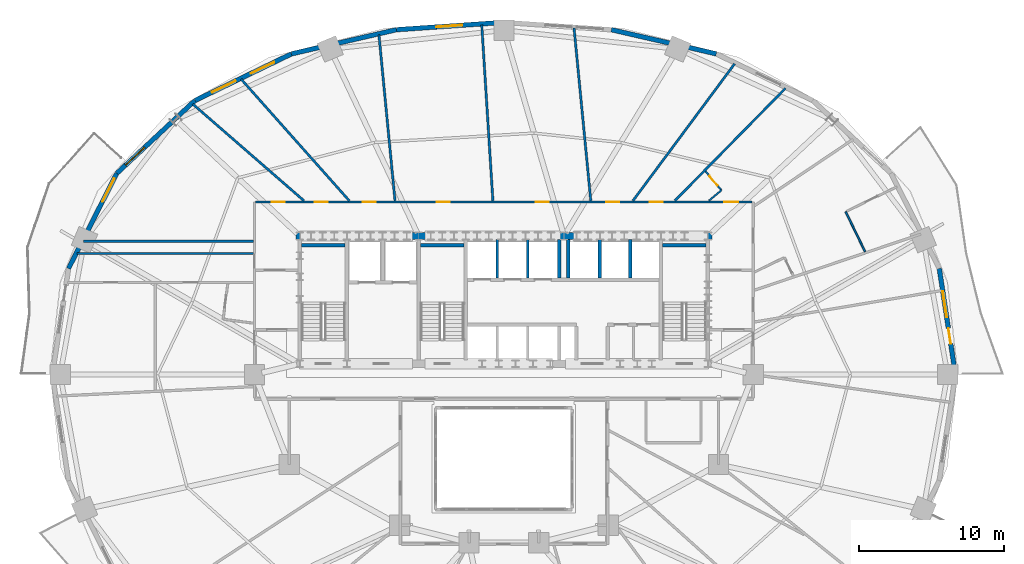
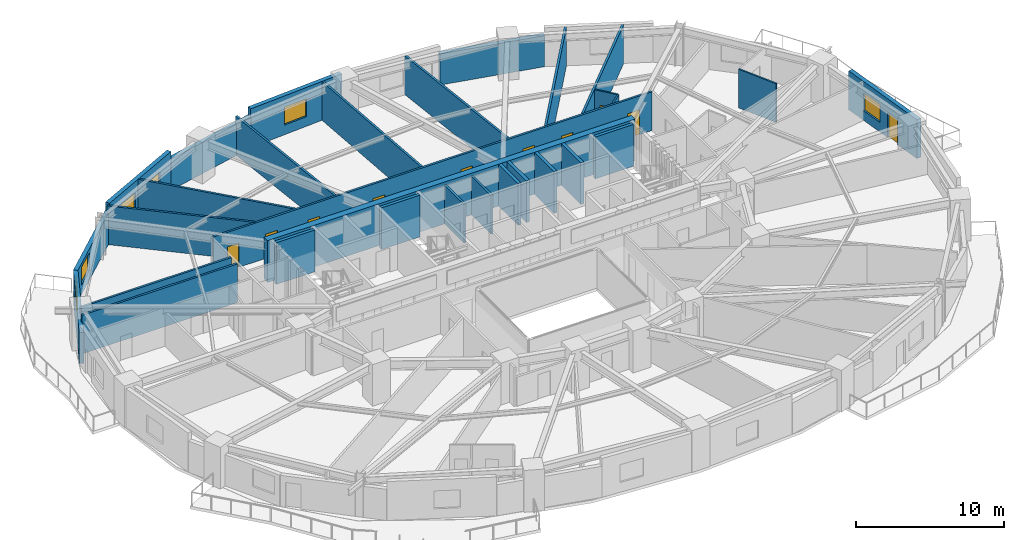
# One storey, part 12 of 17: 30 walls, 10 doors, 6 windows, 16 openings.
"""IFC4 building model written with IfcOpenShell, lengths in metres."""

from ifc_helpers import new_model, si_unit, direction, frame, frame_2d, origin, place, context, subcontext, project, spatial, rectangle, extrude, material, layer, layer_set, type_object, element, fill, save


model = new_model("IFC4")

# Units and contexts
model_context = context("Model", 3, precision=1e-05, world=origin(), true_north=direction((0.0, 1.0)))
body_context = subcontext(model_context, "Body", "Model", "MODEL_VIEW")
ifc_project = project(units=[si_unit("LENGTHUNIT", "METRE"), si_unit("AREAUNIT", "SQUARE_METRE"), si_unit("VOLUMEUNIT", "CUBIC_METRE"), si_unit("PLANEANGLEUNIT", "RADIAN"), si_unit("MASSUNIT", "GRAM", prefix="KILO")], contexts=[model_context])

# Site, building, storey
site_placement = place(None, origin())
site = spatial("IfcSite", under=ifc_project, at=site_placement, CompositionType="ELEMENT")
building_placement = place(site_placement, origin())
building = spatial("IfcBuilding", under=site, at=building_placement, Name="Haldorwick Loom Tower", CompositionType="ELEMENT")
storey_placement = place(building_placement, frame((0.0, 0.0, 65.39990234375)))
storey = spatial("IfcBuildingStorey", under=building, at=storey_placement, Name="L17", CompositionType="ELEMENT", Elevation=65.39990234375)

# Wall, openings, door, window
ifc_material_1 = material(Name="Pressed Clay Face Brick and Insulated Masonry Backup Assembly", Category="masonry")
ifc_layer_1 = layer(ifc_material_1, 0.320068359375, Name="Pressed Clay Face Brick and Insulated Masonry Backup Assembly", Category="masonry")
ifc_layer_set_1 = layer_set([ifc_layer_1], Name="Pressed Clay Face Brick and Insulated Masonry Backup Assembly")
wall_type_1 = type_object("IfcWallType", Name="ARC-WL-EXT320", PredefinedType="STANDARD", material=ifc_layer_set_1)
wall_1_placement = place(storey_placement, frame((67.135986328125, 26.0, 0.0), z_axis=(0.0, 0.0, 1.0), x_axis=(-0.150476322528, 0.988613613278, 0.0)))
wall_1 = element("IfcWall", 1, at=wall_1_placement, inside=storey, type_object=wall_type_1, Name="L17 Brick Pier and Spandrel Wall 1", PredefinedType="STANDARD", context=body_context, shape_type="SweptSolid", body=[
    extrude(rectangle(XDim=7.40478515625, YDim=0.320068359375, at=frame_2d((3.702392578125, 0.0))), origin(), (0.0, 0.0, 1.0), 3.210205078125),
])
opening_1_placement = place(wall_1_placement, frame((2.1416015625, 0.0, 0.0)))
opening_1 = element("IfcOpeningElement", 2, at=opening_1_placement, cuts=wall_1, Name="Opening D-BL11", PredefinedType="OPENING", context=body_context, shape_type="SweptSolid", body=[
    extrude(rectangle(XDim=1.080078125, YDim=2.0400390625, at=frame_2d((0.5400390625, 1.02001953125))), frame((0.0, 0.169921875, 0.0), z_axis=(0.0, -1.0, 0.0), x_axis=(1.0, 0.0, 0.0)), (0.0, 0.0, 1.0), 0.340087890625),
])
opening_2_placement = place(wall_1_placement, frame((4.003662109375, 0.0, 0.800048828125)))
opening_2 = element("IfcOpeningElement", 3, at=opening_2_placement, cuts=wall_1, Name="Opening W-01", PredefinedType="OPENING", context=body_context, shape_type="SweptSolid", body=[
    extrude(rectangle(XDim=1.800048828125, YDim=1.47998046875, at=frame_2d((0.89990234375, 0.739990234375))), frame((0.0, 0.169921875, 0.0), z_axis=(0.0, -1.0, 0.0), x_axis=(1.0, 0.0, 0.0)), (0.0, 0.0, 1.0), 0.340087890625),
])
ifc_material_2 = material(Name="Thermally Broken Anodized Aluminium Curtain Wall Framing", Category="aluminium")
door_type_1 = type_object("IfcDoorType", Name="ARC-DR-BAL110", OperationType="NOTDEFINED", PredefinedType="DOOR", material=ifc_material_2)
door_1_placement = place(opening_1_placement, origin())
door_1 = element("IfcDoor", 4, at=door_1_placement, inside=storey, type_object=door_type_1, Name="L17 Outdoor Terrace Door SLB-L17-BAL_ENE", OperationType="SINGLE_SWING_RIGHT", OverallHeight=2.0400390625, OverallWidth=1.080078125, PredefinedType="DOOR", context=body_context, shape_type="SweptSolid", body=[
    extrude(rectangle(XDim=1.080078125, YDim=2.0400390625, at=frame_2d((0.5400390625, 1.02001953125))), frame((0.0, 0.02490234375, 0.0), z_axis=(0.0, -1.0, 0.0), x_axis=(1.0, 0.0, 0.0)), (0.0, 0.0, 1.0), 0.050048828125),
])
fill(opening_1, door_1)
ifc_material_3 = material(Name="Triple-Glazed Low-E Argon Insulated Glazing Unit", Category="glass")
window_type = type_object("IfcWindowType", Name="ARC-WIN-W180", PartitioningType="SINGLE_PANEL", PredefinedType="WINDOW", material=ifc_material_3)
window_1_placement = place(opening_2_placement, origin())
window_1 = element("IfcWindow", 5, at=window_1_placement, inside=storey, type_object=window_type, Name="L17 Deep-Set Zone 7A Window 1", OverallHeight=1.47998046875, OverallWidth=1.800048828125, PartitioningType="SINGLE_PANEL", PredefinedType="WINDOW", context=body_context, shape_type="SweptSolid", body=[
    extrude(rectangle(XDim=1.800048828125, YDim=1.47998046875, at=frame_2d((0.89990234375, 0.739990234375))), frame((0.0, 0.030029296875, 0.0), z_axis=(0.0, -1.0, 0.0), x_axis=(1.0, 0.0, 0.0)), (0.0, 0.0, 1.0), 0.06005859375),
])
fill(opening_2, window_1)

# Wall
wall_2_placement = place(storey_placement, frame((50.644775390625, 48.11572265625, 0.0), z_axis=(0.0, 0.0, 1.0), x_axis=(-0.974522412345, 0.224290142088, 0.0)))
element("IfcWall", 6, at=wall_2_placement, inside=storey, type_object=wall_type_1, Name="L17 Brick Pier and Spandrel Wall 5", PredefinedType="STANDARD", context=body_context, shape_type="SweptSolid", body=[
    extrude(rectangle(XDim=7.422607421875, YDim=0.320068359375, at=frame_2d((3.71142578125, 0.0))), origin(), (0.0, 0.0, 1.0), 2.569091796875),
])

# Wall, opening, window
wall_3_placement = place(storey_placement, frame((36.0, 50.2900390625, 0.0), z_axis=(0.0, 0.0, 1.0), x_axis=(-0.997645161917, -0.068586667092, 0.0)))
wall_3 = element("IfcWall", 7, at=wall_3_placement, inside=storey, type_object=wall_type_1, Name="L17 Brick Pier and Spandrel Wall 7", PredefinedType="STANDARD", context=body_context, shape_type="SweptSolid", body=[
    extrude(rectangle(XDim=7.428955078125, YDim=0.320068359375, at=frame_2d((3.71435546875, 0.0))), origin(), (0.0, 0.0, 1.0), 3.210205078125),
])
opening_3_placement = place(wall_3_placement, frame((2.874755859375, 0.0, 0.800048828125)))
opening_3 = element("IfcOpeningElement", 8, at=opening_3_placement, cuts=wall_3, Name="Opening W-01", PredefinedType="OPENING", context=body_context, shape_type="SweptSolid", body=[
    extrude(rectangle(XDim=1.800048828125, YDim=1.47998046875, at=frame_2d((0.89990234375, 0.739990234375))), frame((0.0, 0.169921875, 0.0), z_axis=(0.0, -1.0, 0.0), x_axis=(1.0, 0.0, 0.0)), (0.0, 0.0, 1.0), 0.340087890625),
])
window_2_placement = place(opening_3_placement, origin())
window_2 = element("IfcWindow", 9, at=window_2_placement, inside=storey, type_object=window_type, Name="L17 Deep-Set Zone 7A Window 7", OverallHeight=1.47998046875, OverallWidth=1.800048828125, PartitioningType="SINGLE_PANEL", PredefinedType="WINDOW", context=body_context, shape_type="SweptSolid", body=[
    extrude(rectangle(XDim=1.800048828125, YDim=1.47998046875, at=frame_2d((0.89990234375, 0.739990234375))), frame((0.0, 0.030029296875, 0.0), z_axis=(0.0, -1.0, 0.0), x_axis=(1.0, 0.0, 0.0)), (0.0, 0.0, 1.0), 0.06005859375),
])
fill(opening_3, window_2)

# Wall
wall_4_placement = place(storey_placement, frame((28.588623046875, 49.780517578125, 0.0), z_axis=(0.0, 0.0, 1.0), x_axis=(-0.974522412345, -0.224290142088, 0.0)))
element("IfcWall", 10, at=wall_4_placement, inside=storey, type_object=wall_type_1, Name="L17 Brick Pier and Spandrel Wall 8", PredefinedType="STANDARD", context=body_context, shape_type="SweptSolid", body=[
    extrude(rectangle(XDim=7.422607421875, YDim=0.320068359375, at=frame_2d((3.71142578125, 0.0))), origin(), (0.0, 0.0, 1.0), 2.569091796875),
])

# Wall, openings, windows
wall_5_placement = place(storey_placement, frame((21.355224609375, 48.11572265625, 0.0), z_axis=(0.0, 0.0, 1.0), x_axis=(-0.900295710431, -0.435278800057, 0.0)))
wall_5 = element("IfcWall", 11, at=wall_5_placement, inside=storey, type_object=wall_type_1, Name="L17 Brick Pier and Spandrel Wall 9", PredefinedType="STANDARD", context=body_context, shape_type="SweptSolid", body=[
    extrude(rectangle(XDim=7.39697265625, YDim=0.320068359375, at=frame_2d((3.698486328125, 0.0))), origin(), (0.0, 0.0, 1.0), 3.210205078125),
])
opening_4_placement = place(wall_5_placement, frame((1.319091796875, 0.0, 0.800048828125)))
opening_4 = element("IfcOpeningElement", 12, at=opening_4_placement, cuts=wall_5, Name="Opening W-01", PredefinedType="OPENING", context=body_context, shape_type="SweptSolid", body=[
    extrude(rectangle(XDim=1.800048828125, YDim=1.47998046875, at=frame_2d((0.89990234375, 0.739990234375))), frame((0.0, 0.169921875, 0.0), z_axis=(0.0, -1.0, 0.0), x_axis=(1.0, 0.0, 0.0)), (0.0, 0.0, 1.0), 0.340087890625),
])
opening_5_placement = place(wall_5_placement, frame((4.27783203125, 0.0, 0.800048828125)))
opening_5 = element("IfcOpeningElement", 13, at=opening_5_placement, cuts=wall_5, Name="Opening W-01", PredefinedType="OPENING", context=body_context, shape_type="SweptSolid", body=[
    extrude(rectangle(XDim=1.800048828125, YDim=1.47998046875, at=frame_2d((0.89990234375, 0.739990234375))), frame((0.0, 0.169921875, 0.0), z_axis=(0.0, -1.0, 0.0), x_axis=(1.0, 0.0, 0.0)), (0.0, 0.0, 1.0), 0.340087890625),
])
window_3_placement = place(opening_4_placement, origin())
window_3 = element("IfcWindow", 14, at=window_3_placement, inside=storey, type_object=window_type, Name="L17 Deep-Set Zone 7A Window 9", OverallHeight=1.47998046875, OverallWidth=1.800048828125, PartitioningType="SINGLE_PANEL", PredefinedType="WINDOW", context=body_context, shape_type="SweptSolid", body=[
    extrude(rectangle(XDim=1.800048828125, YDim=1.47998046875, at=frame_2d((0.89990234375, 0.739990234375))), frame((0.0, 0.030029296875, 0.0), z_axis=(0.0, -1.0, 0.0), x_axis=(1.0, 0.0, 0.0)), (0.0, 0.0, 1.0), 0.06005859375),
])
fill(opening_4, window_3)
window_4_placement = place(opening_5_placement, origin())
window_4 = element("IfcWindow", 15, at=window_4_placement, inside=storey, type_object=window_type, Name="L17 Deep-Set Zone 7A Window 9", OverallHeight=1.47998046875, OverallWidth=1.800048828125, PartitioningType="SINGLE_PANEL", PredefinedType="WINDOW", context=body_context, shape_type="SweptSolid", body=[
    extrude(rectangle(XDim=1.800048828125, YDim=1.47998046875, at=frame_2d((0.89990234375, 0.739990234375))), frame((0.0, 0.030029296875, 0.0), z_axis=(0.0, -1.0, 0.0), x_axis=(1.0, 0.0, 0.0)), (0.0, 0.0, 1.0), 0.06005859375),
])
fill(opening_5, window_4)

# Wall, opening, window
wall_6_placement = place(storey_placement, frame((14.69580078125, 44.89599609375, 0.0), z_axis=(0.0, 0.0, 1.0), x_axis=(-0.73176101237, -0.681561311091, 0.0)))
wall_6 = element("IfcWall", 16, at=wall_6_placement, inside=storey, type_object=wall_type_1, Name="L17 Brick Pier and Spandrel Wall 10", PredefinedType="STANDARD", context=body_context, shape_type="SweptSolid", body=[
    extrude(rectangle(XDim=7.3583984375, YDim=0.320068359375, at=frame_2d((3.67919921875, 0.0))), origin(), (0.0, 0.0, 1.0), 2.569091796875),
])
opening_6_placement = place(wall_6_placement, frame((4.736572265625, 0.0, 0.800048828125)))
opening_6 = element("IfcOpeningElement", 17, at=opening_6_placement, cuts=wall_6, Name="Opening W-01", PredefinedType="OPENING", context=body_context, shape_type="SweptSolid", body=[
    extrude(rectangle(XDim=1.800048828125, YDim=1.47998046875, at=frame_2d((0.89990234375, 0.739990234375))), frame((0.0, 0.169921875, 0.0), z_axis=(0.0, -1.0, 0.0), x_axis=(1.0, 0.0, 0.0)), (0.0, 0.0, 1.0), 0.340087890625),
])
window_5_placement = place(opening_6_placement, origin())
window_5 = element("IfcWindow", 18, at=window_5_placement, inside=storey, type_object=window_type, Name="L17 Deep-Set Zone 7A Window 10", OverallHeight=1.47998046875, OverallWidth=1.800048828125, PartitioningType="SINGLE_PANEL", PredefinedType="WINDOW", context=body_context, shape_type="SweptSolid", body=[
    extrude(rectangle(XDim=1.800048828125, YDim=1.47998046875, at=frame_2d((0.89990234375, 0.739990234375))), frame((0.0, 0.030029296875, 0.0), z_axis=(0.0, -1.0, 0.0), x_axis=(1.0, 0.0, 0.0)), (0.0, 0.0, 1.0), 0.06005859375),
])
fill(opening_6, window_5)

wall_7_placement = place(storey_placement, frame((9.311279296875, 39.880859375, 0.0), z_axis=(0.0, 0.0, 1.0), x_axis=(-0.452950855928, -0.891535485617, 0.0)))
wall_7 = element("IfcWall", 19, at=wall_7_placement, inside=storey, type_object=wall_type_1, Name="L17 Brick Pier and Spandrel Wall 11", PredefinedType="STANDARD", context=body_context, shape_type="SweptSolid", body=[
    extrude(rectangle(XDim=7.3583984375, YDim=0.320068359375, at=frame_2d((3.67919921875, 0.0))), origin(), (0.0, 0.0, 1.0), 2.569091796875),
])
opening_7_placement = place(wall_7_placement, frame((0.400146484375, 0.0, 0.800048828125)))
opening_7 = element("IfcOpeningElement", 20, at=opening_7_placement, cuts=wall_7, Name="Opening W-01", PredefinedType="OPENING", context=body_context, shape_type="SweptSolid", body=[
    extrude(rectangle(XDim=1.800048828125, YDim=1.47998046875, at=frame_2d((0.89990234375, 0.739990234375))), frame((0.0, 0.169921875, 0.0), z_axis=(0.0, -1.0, 0.0), x_axis=(1.0, 0.0, 0.0)), (0.0, 0.0, 1.0), 0.340087890625),
])
window_6_placement = place(opening_7_placement, origin())
window_6 = element("IfcWindow", 21, at=window_6_placement, inside=storey, type_object=window_type, Name="L17 Deep-Set Zone 7A Window 11", OverallHeight=1.47998046875, OverallWidth=1.800048828125, PartitioningType="SINGLE_PANEL", PredefinedType="WINDOW", context=body_context, shape_type="SweptSolid", body=[
    extrude(rectangle(XDim=1.800048828125, YDim=1.47998046875, at=frame_2d((0.89990234375, 0.739990234375))), frame((0.0, 0.030029296875, 0.0), z_axis=(0.0, -1.0, 0.0), x_axis=(1.0, 0.0, 0.0)), (0.0, 0.0, 1.0), 0.06005859375),
])
fill(opening_7, window_6)

# Wall, openings, doors
ifc_material_4 = material(Name="Fire-Rated Type X Gypsum Stud Assembly EI 60")
ifc_layer_2 = layer(ifc_material_4, 0.159912109375, Name="Fire-Rated Type X Gypsum Stud Assembly EI 60")
ifc_layer_set_2 = layer_set([ifc_layer_2], Name="Fire-Rated Type X Gypsum Stud Assembly EI 60")
wall_type_2 = type_object("IfcWallType", Name="ARC-WL-FIRE160", PredefinedType="PARTITIONING", material=ifc_layer_set_2)
wall_8_placement = place(storey_placement, frame((18.883056640625, 37.89990234375, 0.0), z_axis=(0.0, 0.0, 1.0), x_axis=(1.0, 0.0, 0.0)))
wall_8 = element("IfcWall", 22, at=wall_8_placement, inside=storey, type_object=wall_type_2, Name="L17 Residential Fire Partition L17-CR-N0", PredefinedType="PARTITIONING", context=body_context, shape_type="SweptSolid", body=[
    extrude(rectangle(XDim=34.23388671875, YDim=0.159912109375, at=frame_2d((17.116943359375, 0.0))), origin(), (0.0, 0.0, 1.0), 3.195068359375),
])
opening_8_placement = place(wall_8_placement, frame((19.3173828125, 0.0, 0.0)))
opening_8 = element("IfcOpeningElement", 23, at=opening_8_placement, cuts=wall_8, Name="Opening D-FD60A", PredefinedType="OPENING", context=body_context, shape_type="SweptSolid", body=[
    extrude(rectangle(XDim=0.89990234375, YDim=2.0, at=frame_2d((0.449951171875, 1.0))), frame((0.0, 0.08984375, 0.0), z_axis=(0.0, -1.0, 0.0), x_axis=(1.0, 0.0, 0.0)), (0.0, 0.0, 1.0), 0.179931640625),
])
opening_9_placement = place(wall_8_placement, frame((12.470703125, 0.0, 0.0)))
opening_9 = element("IfcOpeningElement", 24, at=opening_9_placement, cuts=wall_8, Name="Opening D-FD60A", PredefinedType="OPENING", context=body_context, shape_type="SweptSolid", body=[
    extrude(rectangle(XDim=0.89990234375, YDim=2.0, at=frame_2d((0.449951171875, 1.0))), frame((0.0, 0.08984375, 0.0), z_axis=(0.0, -1.0, 0.0), x_axis=(1.0, 0.0, 0.0)), (0.0, 0.0, 1.0), 0.179931640625),
])
opening_10_placement = place(wall_8_placement, frame((24.176513671875, 0.0, 0.0)))
opening_10 = element("IfcOpeningElement", 25, at=opening_10_placement, cuts=wall_8, Name="Opening D-FD60A", PredefinedType="OPENING", context=body_context, shape_type="SweptSolid", body=[
    extrude(rectangle(XDim=0.89990234375, YDim=2.0, at=frame_2d((0.449951171875, 1.0))), frame((0.0, 0.08984375, 0.0), z_axis=(0.0, -1.0, 0.0), x_axis=(1.0, 0.0, 0.0)), (0.0, 0.0, 1.0), 0.179931640625),
])
opening_11_placement = place(wall_8_placement, frame((7.390625, 0.0, 0.0)))
opening_11 = element("IfcOpeningElement", 26, at=opening_11_placement, cuts=wall_8, Name="Opening D-FD60A", PredefinedType="OPENING", context=body_context, shape_type="SweptSolid", body=[
    extrude(rectangle(XDim=0.89990234375, YDim=2.0, at=frame_2d((0.449951171875, 1.0))), frame((0.0, 0.08984375, 0.0), z_axis=(0.0, -1.0, 0.0), x_axis=(1.0, 0.0, 0.0)), (0.0, 0.0, 1.0), 0.179931640625),
])
opening_12_placement = place(wall_8_placement, frame((4.07763671875, 0.0, 0.0)))
opening_12 = element("IfcOpeningElement", 27, at=opening_12_placement, cuts=wall_8, Name="Opening D-FD60A", PredefinedType="OPENING", context=body_context, shape_type="SweptSolid", body=[
    extrude(rectangle(XDim=0.89990234375, YDim=2.0, at=frame_2d((0.449951171875, 1.0))), frame((0.0, 0.08984375, 0.0), z_axis=(0.0, -1.0, 0.0), x_axis=(1.0, 0.0, 0.0)), (0.0, 0.0, 1.0), 0.179931640625),
])
opening_13_placement = place(wall_8_placement, frame((27.158203125, 0.0, 0.0)))
opening_13 = element("IfcOpeningElement", 28, at=opening_13_placement, cuts=wall_8, Name="Opening D-FD60A", PredefinedType="OPENING", context=body_context, shape_type="SweptSolid", body=[
    extrude(rectangle(XDim=0.89990234375, YDim=2.0, at=frame_2d((0.449951171875, 1.0))), frame((0.0, 0.08984375, 0.0), z_axis=(0.0, -1.0, 0.0), x_axis=(1.0, 0.0, 0.0)), (0.0, 0.0, 1.0), 0.179931640625),
])
opening_14_placement = place(wall_8_placement, frame((1.09619140625, 0.0, 0.0)))
opening_14 = element("IfcOpeningElement", 29, at=opening_14_placement, cuts=wall_8, Name="Opening D-FD60A", PredefinedType="OPENING", context=body_context, shape_type="SweptSolid", body=[
    extrude(rectangle(XDim=0.89990234375, YDim=2.0, at=frame_2d((0.449951171875, 1.0))), frame((0.0, 0.08984375, 0.0), z_axis=(0.0, -1.0, 0.0), x_axis=(1.0, 0.0, 0.0)), (0.0, 0.0, 1.0), 0.179931640625),
])
opening_15_placement = place(wall_8_placement, frame((32.323486328125, 0.0, 0.0)))
opening_15 = element("IfcOpeningElement", 30, at=opening_15_placement, cuts=wall_8, Name="Opening D-FL95", PredefinedType="OPENING", context=body_context, shape_type="SweptSolid", body=[
    extrude(rectangle(XDim=0.949951171875, YDim=2.0400390625, at=frame_2d((0.47509765625, 1.02001953125))), frame((0.0, 0.08984375, 0.0), z_axis=(0.0, -1.0, 0.0), x_axis=(1.0, 0.0, 0.0)), (0.0, 0.0, 1.0), 0.179931640625),
])
ifc_material_5 = material(Name="Hollow Steel Fire Door Assembly", Category="steel")
door_type_2 = type_object("IfcDoorType", Name="ARC-DR-FD60-90", OperationType="NOTDEFINED", PredefinedType="DOOR", material=ifc_material_5)
door_2_placement = place(opening_8_placement, frame((0.89990234375, 0.0, 0.0), z_axis=(0.0, 0.0, 1.0), x_axis=(-1.0, 0.0, 0.0)))
door_2 = element("IfcDoor", 31, at=door_2_placement, inside=storey, type_object=door_type_2, Name="L17 Tenant Seminar Meeting Room 3 to L17 North Residential Corridor Door", OperationType="SINGLE_SWING_LEFT", OverallHeight=2.0, OverallWidth=0.89990234375, PredefinedType="DOOR", context=body_context, shape_type="SweptSolid", body=[
    extrude(rectangle(XDim=0.89990234375, YDim=2.0, at=frame_2d((0.449951171875, 1.0))), frame((0.0, 0.02490234375, 0.0), z_axis=(0.0, -1.0, 0.0), x_axis=(1.0, 0.0, 0.0)), (0.0, 0.0, 1.0), 0.050048828125),
])
fill(opening_8, door_2)
door_3_placement = place(opening_9_placement, frame((0.89990234375, 0.0, 0.0), z_axis=(0.0, 0.0, 1.0), x_axis=(-1.0, 0.0, 0.0)))
door_3 = element("IfcDoor", 32, at=door_3_placement, inside=storey, type_object=door_type_2, Name="L17 Tenant Seminar Meeting Room 4 to L17 North Residential Corridor Door", OperationType="SINGLE_SWING_RIGHT", OverallHeight=2.0, OverallWidth=0.89990234375, PredefinedType="DOOR", context=body_context, shape_type="SweptSolid", body=[
    extrude(rectangle(XDim=0.89990234375, YDim=2.0, at=frame_2d((0.449951171875, 1.0))), frame((0.0, 0.02490234375, 0.0), z_axis=(0.0, -1.0, 0.0), x_axis=(1.0, 0.0, 0.0)), (0.0, 0.0, 1.0), 0.050048828125),
])
fill(opening_9, door_3)
door_4_placement = place(opening_10_placement, frame((0.89990234375, 0.0, 0.0), z_axis=(0.0, 0.0, 1.0), x_axis=(-1.0, 0.0, 0.0)))
door_4 = element("IfcDoor", 33, at=door_4_placement, inside=storey, type_object=door_type_2, Name="L17 Tenant Seminar Meeting Room 16 to L17 North Residential Corridor Doo", OperationType="SINGLE_SWING_RIGHT", OverallHeight=2.0, OverallWidth=0.89990234375, PredefinedType="DOOR", context=body_context, shape_type="SweptSolid", body=[
    extrude(rectangle(XDim=0.89990234375, YDim=2.0, at=frame_2d((0.449951171875, 1.0))), frame((0.0, 0.02490234375, 0.0), z_axis=(0.0, -1.0, 0.0), x_axis=(1.0, 0.0, 0.0)), (0.0, 0.0, 1.0), 0.050048828125),
])
fill(opening_10, door_4)
door_5_placement = place(opening_11_placement, frame((0.89990234375, 0.0, 0.0), z_axis=(0.0, 0.0, 1.0), x_axis=(-1.0, 0.0, 0.0)))
door_5 = element("IfcDoor", 34, at=door_5_placement, inside=storey, type_object=door_type_2, Name="L17 Tenant Seminar Meeting Room 9 to L17 North Residential Corridor Door", OperationType="SINGLE_SWING_LEFT", OverallHeight=2.0, OverallWidth=0.89990234375, PredefinedType="DOOR", context=body_context, shape_type="SweptSolid", body=[
    extrude(rectangle(XDim=0.89990234375, YDim=2.0, at=frame_2d((0.449951171875, 1.0))), frame((0.0, 0.02490234375, 0.0), z_axis=(0.0, -1.0, 0.0), x_axis=(1.0, 0.0, 0.0)), (0.0, 0.0, 1.0), 0.050048828125),
])
fill(opening_11, door_5)
door_6_placement = place(opening_12_placement, frame((0.89990234375, 0.0, 0.0), z_axis=(0.0, 0.0, 1.0), x_axis=(-1.0, 0.0, 0.0)))
door_6 = element("IfcDoor", 35, at=door_6_placement, inside=storey, type_object=door_type_2, Name="L17 Wellness Consultation Room 12 to L17 North Residential Corridor Door", OperationType="SINGLE_SWING_RIGHT", OverallHeight=2.0, OverallWidth=0.89990234375, PredefinedType="DOOR", context=body_context, shape_type="SweptSolid", body=[
    extrude(rectangle(XDim=0.89990234375, YDim=2.0, at=frame_2d((0.449951171875, 1.0))), frame((0.0, 0.02490234375, 0.0), z_axis=(0.0, -1.0, 0.0), x_axis=(1.0, 0.0, 0.0)), (0.0, 0.0, 1.0), 0.050048828125),
])
fill(opening_12, door_6)
door_7_placement = place(opening_13_placement, frame((0.89990234375, 0.0, 0.0), z_axis=(0.0, 0.0, 1.0), x_axis=(-1.0, 0.0, 0.0)))
door_7 = element("IfcDoor", 36, at=door_7_placement, inside=storey, type_object=door_type_2, Name="L17 Shared Tea Pantry 21 to L17 North Residential Corridor Door", OperationType="SINGLE_SWING_RIGHT", OverallHeight=2.0, OverallWidth=0.89990234375, PredefinedType="DOOR", context=body_context, shape_type="SweptSolid", body=[
    extrude(rectangle(XDim=0.89990234375, YDim=2.0, at=frame_2d((0.449951171875, 1.0))), frame((0.0, 0.02490234375, 0.0), z_axis=(0.0, -1.0, 0.0), x_axis=(1.0, 0.0, 0.0)), (0.0, 0.0, 1.0), 0.050048828125),
])
fill(opening_13, door_7)
door_8_placement = place(opening_14_placement, frame((0.89990234375, 0.0, 0.0), z_axis=(0.0, 0.0, 1.0), x_axis=(-1.0, 0.0, 0.0)))
door_8 = element("IfcDoor", 37, at=door_8_placement, inside=storey, type_object=door_type_2, Name="L17 Tenant Seminar Meeting Room 2 to L17 North Residential Corridor Door", OperationType="SINGLE_SWING_LEFT", OverallHeight=2.0, OverallWidth=0.89990234375, PredefinedType="DOOR", context=body_context, shape_type="SweptSolid", body=[
    extrude(rectangle(XDim=0.89990234375, YDim=2.0, at=frame_2d((0.449951171875, 1.0))), frame((0.0, 0.02490234375, 0.0), z_axis=(0.0, -1.0, 0.0), x_axis=(1.0, 0.0, 0.0)), (0.0, 0.0, 1.0), 0.050048828125),
])
fill(opening_14, door_8)
ifc_material_6 = material(Name="Solid Core Birch Architectural Door")
door_type_3 = type_object("IfcDoorType", Name="ARC-DR-FLAT95", OperationType="NOTDEFINED", PredefinedType="DOOR", material=ifc_material_6)
door_9_placement = place(opening_15_placement, frame((0.949951171875, 0.0, 0.0), z_axis=(0.0, 0.0, 1.0), x_axis=(-1.0, 0.0, 0.0)))
door_9 = element("IfcDoor", 38, at=door_9_placement, inside=storey, type_object=door_type_3, Name="L17 Unit 17H Kitchen and Studio Living Room to L17 North Residential Cor", OperationType="SINGLE_SWING_RIGHT", OverallHeight=2.0400390625, OverallWidth=0.949951171875, PredefinedType="DOOR", context=body_context, shape_type="SweptSolid", body=[
    extrude(rectangle(XDim=0.949951171875, YDim=2.0400390625, at=frame_2d((0.47509765625, 1.02001953125))), frame((0.0, 0.02490234375, 0.0), z_axis=(0.0, -1.0, 0.0), x_axis=(1.0, 0.0, 0.0)), (0.0, 0.0, 1.0), 0.050048828125),
])
fill(opening_15, door_9)

# Walls
wall_9_placement = place(storey_placement, frame((6.57421875, 34.35009765625, 0.0), z_axis=(0.0, 0.0, 1.0), x_axis=(1.0, 0.0, 0.0)))
element("IfcWall", 39, at=wall_9_placement, inside=storey, type_object=wall_type_2, Name="L17 Residential Fire Partition L17-CR-GW1", PredefinedType="PARTITIONING", context=body_context, shape_type="SweptSolid", body=[
    extrude(rectangle(XDim=12.142822265625, YDim=0.159912109375, at=frame_2d((6.0712890625, 0.0))), origin(), (0.0, 0.0, 1.0), 3.195068359375),
])
wall_10_placement = place(storey_placement, frame((28.491943359375, 37.98291015625, 0.0), z_axis=(0.0, 0.0, 1.0), x_axis=(-0.096495067115, 0.995333462726, 0.0)))
element("IfcWall", 40, at=wall_10_placement, inside=storey, type_object=wall_type_2, Name="L17 Residential Fire Partition L17-UPN-11", PredefinedType="PARTITIONING", context=body_context, shape_type="SweptSolid", body=[
    extrude(rectangle(XDim=11.5068359375, YDim=0.159912109375, at=frame_2d((5.75341796875, 0.0))), origin(), (0.0, 0.0, 1.0), 3.195068359375),
])
wall_11_placement = place(storey_placement, frame((41.991943359375, 37.98291015625, 0.0), z_axis=(0.0, 0.0, 1.0), x_axis=(-0.096491128735, 0.995333844534, 0.0)))
element("IfcWall", 41, at=wall_11_placement, inside=storey, type_object=wall_type_2, Name="L17 Residential Fire Partition L17-UPN-12", PredefinedType="PARTITIONING", context=body_context, shape_type="SweptSolid", body=[
    extrude(rectangle(XDim=11.96533203125, YDim=0.159912109375, at=frame_2d((5.982666015625, 0.0))), origin(), (0.0, 0.0, 1.0), 3.195068359375),
])
wall_12_placement = place(storey_placement, frame((7.005859375, 35.199951171875, 0.0), z_axis=(0.0, 0.0, 1.0), x_axis=(1.0, 0.0, 0.0)))
element("IfcWall", 42, at=wall_12_placement, inside=storey, type_object=wall_type_2, Name="L17 Residential Fire Partition L17-FLW-13", PredefinedType="PARTITIONING", context=body_context, shape_type="SweptSolid", body=[
    extrude(rectangle(XDim=11.711181640625, YDim=0.159912109375, at=frame_2d((5.85546875, 0.0))), origin(), (0.0, 0.0, 1.0), 3.195068359375),
])
wall_13_placement = place(storey_placement, frame((22.217041015625, 37.98291015625, 0.0), z_axis=(0.0, 0.0, 1.0), x_axis=(-0.754653553323, 0.656123475008, 0.0)))
element("IfcWall", 43, at=wall_13_placement, inside=storey, type_object=wall_type_2, Name="L17 Suite Split Wall", PredefinedType="PARTITIONING", context=body_context, shape_type="SweptSolid", body=[
    extrude(rectangle(XDim=10.176513671875, YDim=0.159912109375, at=frame_2d((5.08837890625, 0.0))), origin(), (0.0, 0.0, 1.0), 3.195068359375),
])
wall_14_placement = place(storey_placement, frame((35.24072265625, 37.98291015625, 0.0), z_axis=(0.0, 0.0, 1.0), x_axis=(-0.063236888078, 0.997998545082, 0.0)))
element("IfcWall", 44, at=wall_14_placement, inside=storey, type_object=wall_type_2, Name="L17 Suite Split Wall", PredefinedType="PARTITIONING", context=body_context, shape_type="SweptSolid", body=[
    extrude(rectangle(XDim=12.161376953125, YDim=0.159912109375, at=frame_2d((6.08056640625, 0.0))), origin(), (0.0, 0.0, 1.0), 3.195068359375),
])
wall_15_placement = place(storey_placement, frame((47.786376953125, 37.98291015625, 0.0), z_axis=(0.0, 0.0, 1.0), x_axis=(0.701235796896, 0.712929419474, 0.0)))
element("IfcWall", 45, at=wall_15_placement, inside=storey, type_object=wall_type_2, Name="L17 Suite Split Wall", PredefinedType="PARTITIONING", context=body_context, shape_type="SweptSolid", body=[
    extrude(rectangle(XDim=10.87744140625, YDim=0.159912109375, at=frame_2d((5.438720703125, 0.0))), origin(), (0.0, 0.0, 1.0), 3.195068359375),
])
wall_16_placement = place(storey_placement, frame((25.341064453125, 37.98291015625, 0.0), z_axis=(0.0, 0.0, 1.0), x_axis=(-0.66463123421, 0.747171548249, 0.0)))
element("IfcWall", 46, at=wall_16_placement, inside=storey, type_object=wall_type_2, Name="L17 Suite Split Wall", PredefinedType="PARTITIONING", context=body_context, shape_type="SweptSolid", body=[
    extrude(rectangle(XDim=11.218994140625, YDim=0.159912109375, at=frame_2d((5.609375, 0.0))), origin(), (0.0, 0.0, 1.0), 3.195068359375),
])
wall_17_placement = place(storey_placement, frame((44.89599609375, 37.98291015625, 0.0), z_axis=(0.0, 0.0, 1.0), x_axis=(0.596079125279, 0.802925697937, 0.0)))
element("IfcWall", 47, at=wall_17_placement, inside=storey, type_object=wall_type_2, Name="L17 Suite Split Wall", PredefinedType="PARTITIONING", context=body_context, shape_type="SweptSolid", body=[
    extrude(rectangle(XDim=11.767578125, YDim=0.159912109375, at=frame_2d((5.8837890625, 0.0))), origin(), (0.0, 0.0, 1.0), 3.195068359375),
])
ifc_material_7 = material(Name="Acoustic Gypsum Stud Assembly STC 55")
ifc_layer_3 = layer(ifc_material_7, 0.1201171875, Name="Acoustic Gypsum Stud Assembly STC 55")
ifc_layer_set_3 = layer_set([ifc_layer_3], Name="Acoustic Gypsum Stud Assembly STC 55")
wall_type_3 = type_object("IfcWallType", Name="ARC-WL-PART120", PredefinedType="PARTITIONING", material=ifc_layer_set_3)
wall_18_placement = place(storey_placement, frame((60.906982421875, 34.477294921875, 0.0), z_axis=(0.0, 0.0, 1.0), x_axis=(-0.437012689497, 0.899455340313, 0.0)))
element("IfcWall", 48, at=wall_18_placement, inside=storey, type_object=wall_type_3, Name="L17 Unit 17G Interior Partition", PredefinedType="PARTITIONING", context=body_context, shape_type="SweptSolid", body=[
    extrude(rectangle(XDim=3.0625, YDim=0.1201171875, at=frame_2d((1.53125, 0.0))), origin(), (0.0, 0.0, 1.0), 3.195068359375),
])

# Wall, opening, door
wall_19_placement = place(storey_placement, frame((50.998779296875, 38.706787109375, 0.0), z_axis=(0.0, 0.0, 1.0), x_axis=(-0.640240637725, 0.768174411059, 0.0)))
wall_19 = element("IfcWall", 49, at=wall_19_placement, inside=storey, type_object=wall_type_3, Name="L17 Unit 17H Interior Partition", PredefinedType="PARTITIONING", context=body_context, shape_type="SweptSolid", body=[
    extrude(rectangle(XDim=1.7080078125, YDim=0.1201171875, at=frame_2d((0.85400390625, 0.0))), origin(), (0.0, 0.0, 1.0), 3.195068359375),
])
opening_16_placement = place(wall_19_placement, frame((0.4140625, 0.0, 0.0)))
opening_16 = element("IfcOpeningElement", 50, at=opening_16_placement, cuts=wall_19, Name="Opening D-BT88", PredefinedType="OPENING", context=body_context, shape_type="SweptSolid", body=[
    extrude(rectangle(XDim=0.8798828125, YDim=2.02001953125, at=frame_2d((0.43994140625, 1.010009765625))), frame((0.0, 0.070068359375, 0.0), z_axis=(0.0, -1.0, 0.0), x_axis=(1.0, 0.0, 0.0)), (0.0, 0.0, 1.0), 0.14013671875),
])
door_type_4 = type_object("IfcDoorType", Name="ARC-DR-BATH88", OperationType="NOTDEFINED", PredefinedType="DOOR", material=ifc_material_6)
door_10_placement = place(opening_16_placement, origin())
door_10 = element("IfcDoor", 51, at=door_10_placement, inside=storey, type_object=door_type_4, Name="L17 Unit 17H Bathroom to Unit 17H Kitchen and Studio Living Room Door", OperationType="SINGLE_SWING_RIGHT", OverallHeight=2.02001953125, OverallWidth=0.8798828125, PredefinedType="DOOR", context=body_context, shape_type="SweptSolid", body=[
    extrude(rectangle(XDim=0.8798828125, YDim=2.02001953125, at=frame_2d((0.43994140625, 1.010009765625))), frame((0.0, 0.02490234375, 0.0), z_axis=(0.0, -1.0, 0.0), x_axis=(1.0, 0.0, 0.0)), (0.0, 0.0, 1.0), 0.050048828125),
])
fill(opening_16, door_10)

# Walls
wall_20_placement = place(storey_placement, frame((50.130859375, 37.98291015625, 0.0), z_axis=(0.0, 0.0, 1.0), x_axis=(0.76795561356, 0.640503064474, 0.0)))
element("IfcWall", 52, at=wall_20_placement, inside=storey, type_object=wall_type_3, Name="L17 Unit 17H Interior Partition", PredefinedType="PARTITIONING", context=body_context, shape_type="SweptSolid", body=[
    extrude(rectangle(XDim=1.130126953125, YDim=0.1201171875, at=frame_2d((0.56494140625, 0.0))), origin(), (0.0, 0.0, 1.0), 3.195068359375),
])
ifc_material_8 = material(Name="Fire-Rated Type X Gypsum Stud Assembly EI 120")
ifc_layer_4 = layer(ifc_material_8, 0.1650390625, Name="Fire-Rated Type X Gypsum Stud Assembly EI 120")
ifc_layer_set_4 = layer_set([ifc_layer_4], Name="Fire-Rated Type X Gypsum Stud Assembly EI 120")
wall_type_4 = type_object("IfcWallType", Name="ARC-WL-SHAFT160", PredefinedType="MOVABLE", material=ifc_layer_set_4)
for number, where, z_axis, x_axis, name in (
    (53, (35.550048828125, 32.673095703125, 0.0), (0.0, 0.0, 1.0), (0.0, 1.0, 0.0), "L17 Low-Rise Hoistway Divider 1"),
    (54, (37.64990234375, 32.673095703125, 0.0), (0.0, 0.0, 1.0), (0.0, 1.0, 0.0), "L17 Low-Rise Hoistway Divider 2"),
):
    element("IfcWall", number, at=place(storey_placement, frame(where, z_axis=z_axis, x_axis=x_axis)), inside=storey, type_object=wall_type_4, Name=name, PredefinedType="MOVABLE", context=body_context, shape_type="SweptSolid", body=[
        extrude(rectangle(XDim=2.6240234375, YDim=0.159912109375, at=frame_2d((1.31201171875, 0.0))), origin(), (0.0, 0.0, 1.0), 3.195068359375),
    ])
ifc_material_9 = material(Name="Concrete C60 (60 MPa)", Category="concrete")
ifc_layer_5 = layer(ifc_material_9, 0.5, Name="Concrete C60 (60 MPa)", Category="concrete")
ifc_layer_set_5 = layer_set([ifc_layer_5], Name="Concrete C60 (60 MPa)")
wall_type_5 = type_object("IfcWallType", Name="STR-WL-CORE500", PredefinedType="SHEAR", material=ifc_layer_set_5)
wall_21_placement = place(storey_placement, frame((50.35009765625, 35.550048828125, 0.0), z_axis=(0.0, 0.0, 1.0), x_axis=(-1.0, 0.0, 0.0)))
element("IfcWall", 55, at=wall_21_placement, inside=storey, type_object=wall_type_5, Name="L17 Core Shear Wall N", PredefinedType="SHEAR", context=body_context, shape_type="SweptSolid", body=[
    extrude(rectangle(XDim=28.7001953125, YDim=0.5, at=frame_2d((14.35009765625, 0.0))), origin(), (0.0, 0.0, 1.0), 3.4501953125),
])
ifc_material_10 = material(Name="Concrete C50 (50 MPa)", Category="concrete")
ifc_layer_6 = layer(ifc_material_10, 0.239990234375, Name="Concrete C50 (50 MPa)", Category="concrete")
ifc_layer_set_6 = layer_set([ifc_layer_6], Name="Concrete C50 (50 MPa)")
wall_type_6 = type_object("IfcWallType", Name="STR-WL-SHAFT240", PredefinedType="SHEAR", material=ifc_layer_set_6)
for number, where, z_axis, x_axis, name in (
    (56, (22.052978515625, 34.919921875, 0.0), (0.0, 0.0, 1.0), (1.0, 0.0, 0.0), "L17 Core Shear Wall 1N"),
    (57, (30.2529296875, 34.919921875, 0.0), (0.0, 0.0, 1.0), (1.0, 0.0, 0.0), "L17 Core Shear Wall 3N"),
    (58, (46.952880859375, 34.919921875, 0.0), (0.0, 0.0, 1.0), (1.0, 0.0, 0.0), "L17 Core Shear Wall 4N"),
):
    element("IfcWall", number, at=place(storey_placement, frame(where, z_axis=z_axis, x_axis=x_axis)), inside=storey, type_object=wall_type_6, Name=name, PredefinedType="SHEAR", context=body_context, shape_type="SweptSolid", body=[
        extrude(rectangle(XDim=2.994140625, YDim=0.239990234375, at=frame_2d((1.4970703125, 0.0))), origin(), (0.0, 0.0, 1.0), 3.4501953125),
    ])
for number, where, z_axis, x_axis, name in (
    (59, (39.800048828125, 32.673095703125, 0.0), (0.0, 0.0, 1.0), (0.0, 1.0, 0.0), "L17 Core Shear Wall LHW"),
    (60, (40.449951171875, 32.673095703125, 0.0), (0.0, 0.0, 1.0), (0.0, 1.0, 0.0), "L17 Core Shear Wall H0"),
    (61, (42.60009765625, 32.673095703125, 0.0), (0.0, 0.0, 1.0), (0.0, 1.0, 0.0), "L17 Core Shear Wall H1"),
    (62, (44.699951171875, 32.673095703125, 0.0), (0.0, 0.0, 1.0), (0.0, 1.0, 0.0), "L17 Core Shear Wall H2"),
):
    element("IfcWall", number, at=place(storey_placement, frame(where, z_axis=z_axis, x_axis=x_axis)), inside=storey, type_object=wall_type_6, Name=name, PredefinedType="SHEAR", context=body_context, shape_type="SweptSolid", body=[
        extrude(rectangle(XDim=2.6240234375, YDim=0.239990234375, at=frame_2d((1.31201171875, 0.0))), origin(), (0.0, 0.0, 1.0), 3.4501953125),
    ])

save(model, "model.ifc")
